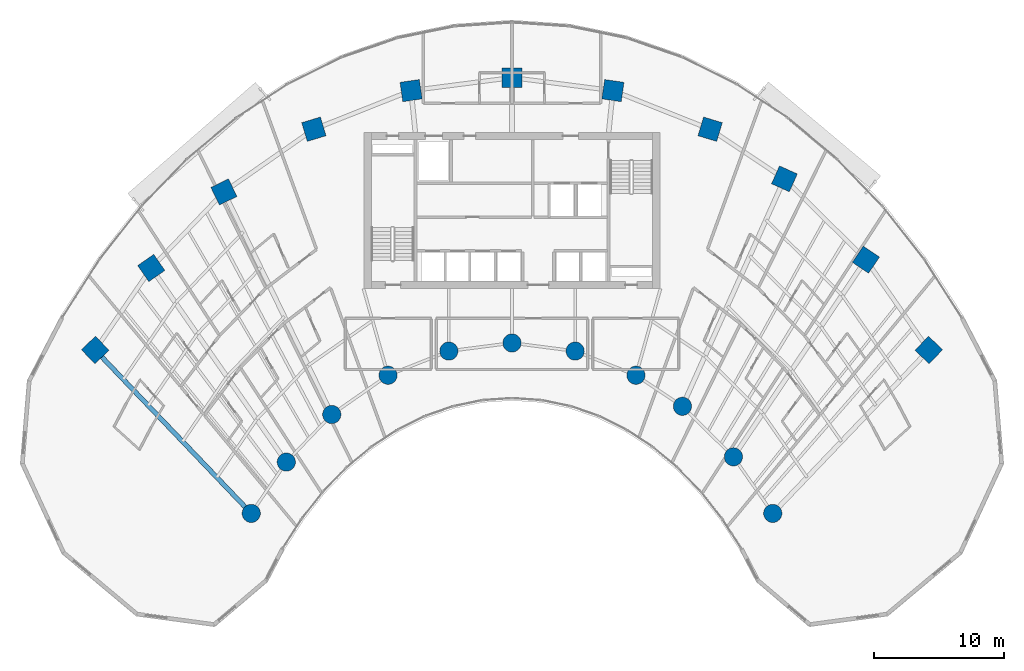
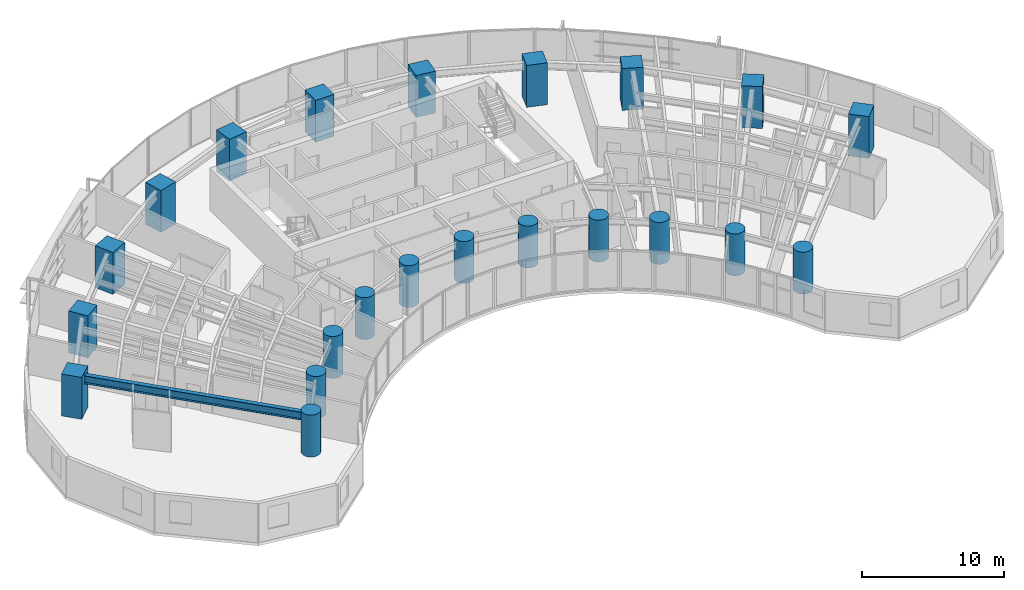
# One storey, part 1 of 18: 22 columns, 1 beam.
"""IFC4 building model written with IfcOpenShell, lengths in metres."""

from ifc_helpers import new_model, si_unit, direction, frame, origin, origin_2d, place, context, subcontext, project, spatial, rectangle, circle, i_section, extrude, source, transform, mapped, material, material_profile, profile_set, type_object, type_shapes, element, save


model = new_model("IFC4")

# Units and contexts
model_context = context("Model", 3, precision=1e-05, world=origin(), true_north=direction((0.0, 1.0)))
body_context = subcontext(model_context, "Body", "Model", "MODEL_VIEW")
ifc_project = project(units=[si_unit("LENGTHUNIT", "METRE"), si_unit("AREAUNIT", "SQUARE_METRE"), si_unit("VOLUMEUNIT", "CUBIC_METRE"), si_unit("PLANEANGLEUNIT", "RADIAN"), si_unit("MASSUNIT", "GRAM", prefix="KILO")], contexts=[model_context])

# Site, building, storey
site_placement = place(None, origin())
site = spatial("IfcSite", under=ifc_project, at=site_placement, CompositionType="ELEMENT")
building_placement = place(site_placement, origin())
building = spatial("IfcBuilding", under=site, at=building_placement, Name="Breltana Convention Tower", CompositionType="ELEMENT")
storey_placement = place(building_placement, frame((0.0, 0.0, 35.39990234375)))
storey = spatial("IfcBuildingStorey", under=building, at=storey_placement, Name="L06", CompositionType="ELEMENT", Elevation=35.39990234375)

# Columns
ifc_material_1 = material(Name="Concrete C60/75", Category="concrete")
ifc_material_profile_1 = material_profile(ifc_material_1, circle(Radius=0.699951171875, at=origin_2d()), Name="RC-COL-D1400")
ifc_profile_set_1 = profile_set([ifc_material_profile_1], Name="Concrete C60/75")
column_type_1 = type_object("IfcColumnType", Name="COL-RC-D1400", PredefinedType="COLUMN", material=ifc_profile_set_1)
shared_shape_1 = source(origin(), body_context, "Body", "SweptSolid", [
    extrude(circle(Radius=0.699951171875, at=origin_2d()), origin(), (0.0, 0.0, 1.0), 3.60009765625),
])
for number, where, z_axis, x_axis, name in (
    (1, (27.984619140625, 42.95458984375, 0.0), (0.0, 0.0, 1.0), (-0.690756218984, 0.723087716626, 0.0), "L06 Tower Column R01-IN"),
    (2, (30.67724609375, 46.892333984375, 0.0), (0.0, 0.0, 1.0), (-0.571143442153, 0.820850271661, 0.0), "L06 Tower Column R02-IN"),
    (3, (34.166259765625, 50.544921875, 0.0), (0.0, 0.0, 1.0), (-0.436173672171, 0.899862504889, 0.0), "L06 Tower Column R03-IN"),
    (4, (38.485107421875, 53.5576171875, 0.0), (0.0, 0.0, 1.0), (-0.288697611798, 0.957420330337, 0.0), "L06 Tower Column R04-IN"),
    (5, (43.153564453125, 55.41064453125, 0.0), (0.0, 0.0, 1.0), (-0.143492621991, 0.98965138682, 0.0), "L06 Tower Column R05-IN"),
    (6, (48.0, 56.035888671875, 0.0), (0.0, 0.0, 1.0), (0.0, 1.0, 0.0), "L06 Tower Column R06-IN"),
    (7, (52.846435546875, 55.41064453125, 0.0), (0.0, 0.0, 1.0), (0.143492621991, 0.98965138682, 0.0), "L06 Tower Column R07-IN"),
    (8, (57.514892578125, 53.5576171875, 0.0), (0.0, 0.0, 1.0), (0.288697611798, 0.957420330337, 0.0), "L06 Tower Column R08-IN"),
    (9, (61.08203125, 51.174560546875, 0.0), (0.0, 0.0, 1.0), (0.409126902895, 0.912477494148, 0.0), "L06 Tower Column R09-IN"),
    (10, (64.995849609375, 47.293701171875, 0.0), (0.0, 0.0, 1.0), (0.55774510898, 0.830012285095, 0.0), "L06 Tower Column R10-IN"),
    (11, (68.015380859375, 42.95458984375, 0.0), (0.0, 0.0, 1.0), (0.690756218984, 0.723087716626, 0.0), "L06 Tower Column R11-IN"),
):
    element("IfcColumn", number, at=place(storey_placement, frame(where, z_axis=z_axis, x_axis=x_axis)), inside=storey, type_object=column_type_1, Name=name, PredefinedType="COLUMN", context=body_context, shape_type="MappedRepresentation", body=[
        mapped(shared_shape_1, transform((0.0, 0.0, 0.0), scale=1.0)),
    ])
ifc_material_profile_2 = material_profile(ifc_material_1, rectangle(XDim=1.5, YDim=1.5, at=origin_2d()), Name="RC-COL-1500X1500")
ifc_profile_set_2 = profile_set([ifc_material_profile_2], Name="Concrete C60/75")
column_type_2 = type_object("IfcColumnType", Name="COL-RC-1500", PredefinedType="COLUMN", material=ifc_profile_set_2)
shared_shape_2 = source(origin(), body_context, "Body", "SweptSolid", [
    extrude(rectangle(XDim=1.5, YDim=1.5, at=origin_2d()), origin(), (0.0, 0.0, 1.0), 3.60009765625),
])
for number, where, z_axis, x_axis, name in (
    (12, (16.0068359375, 55.494384765625, 0.0), (0.0, 0.0, 1.0), (-0.690756218984, 0.723087716626, 0.0), "L06 Tower Column R01-OUT"),
    (13, (20.310791015625, 61.78857421875, 0.0), (0.0, 0.0, 1.0), (-0.571143442153, 0.820850271661, 0.0), "L06 Tower Column R02-OUT"),
    (14, (25.8876953125, 67.626953125, 0.0), (0.0, 0.0, 1.0), (-0.436173672171, 0.899862504889, 0.0), "L06 Tower Column R03-OUT"),
    (15, (32.791015625, 72.4423828125, 0.0), (0.0, 0.0, 1.0), (-0.288697611798, 0.957420330337, 0.0), "L06 Tower Column R04-OUT"),
    (16, (40.253173828125, 75.404296875, 0.0), (0.0, 0.0, 1.0), (-0.143492621991, 0.98965138682, 0.0), "L06 Tower Column R05-OUT"),
    (17, (48.0, 76.404052734375, 0.0), (0.0, 0.0, 1.0), (0.0, 1.0, 0.0), "L06 Tower Column R06-OUT"),
    (18, (55.746826171875, 75.404296875, 0.0), (0.0, 0.0, 1.0), (0.143492621991, 0.98965138682, 0.0), "L06 Tower Column R07-OUT"),
    (19, (63.208984375, 72.4423828125, 0.0), (0.0, 0.0, 1.0), (0.288697611798, 0.957420330337, 0.0), "L06 Tower Column R08-OUT"),
    (20, (68.910400390625, 68.63330078125, 0.0), (0.0, 0.0, 1.0), (0.409126902895, 0.912477494148, 0.0), "L06 Tower Column R09-OUT"),
    (21, (75.166748046875, 62.43017578125, 0.0), (0.0, 0.0, 1.0), (0.55774510898, 0.830012285095, 0.0), "L06 Tower Column R10-OUT"),
    (22, (79.9931640625, 55.494384765625, 0.0), (0.0, 0.0, 1.0), (0.690756218984, 0.723087716626, 0.0), "L06 Tower Column R11-OUT"),
):
    element("IfcColumn", number, at=place(storey_placement, frame(where, z_axis=z_axis, x_axis=x_axis)), inside=storey, type_object=column_type_2, Name=name, PredefinedType="COLUMN", context=body_context, shape_type="MappedRepresentation", body=[
        mapped(shared_shape_2, transform((0.0, 0.0, 0.0), scale=1.0)),
    ])

# Beam
ifc_material_2 = material(Name="Steel ASTM A992 Grade 50", Category="steel")
ifc_material_profile_3 = material_profile(ifc_material_2, i_section(OverallWidth=0.35498046875, OverallDepth=0.696044921875, WebThickness=0.015380859375, FlangeThickness=0.02490234375, at=origin_2d()), Name="W27X146")
ifc_profile_set_3 = profile_set([ifc_material_profile_3], Name="Steel ASTM A992 Grade 50")
beam_type = type_object("IfcBeamType", Name="BM-RG-W27X146", PredefinedType="USERDEFINED", material=ifc_profile_set_3)
shared_shape_3 = source(origin(), body_context, "Body", "SweptSolid", [
    extrude(i_section(OverallWidth=0.35498046875, OverallDepth=0.696044921875, WebThickness=0.015380859375, FlangeThickness=0.02490234375, at=origin_2d()), origin(), (0.0, 0.0, 1.0), 17.341064453125),
])
type_shapes(beam_type, [shared_shape_3])
beam_placement = place(storey_placement, frame((27.984619140625, 42.95458984375, 3.01220703125), z_axis=(-0.690716462293, 0.723125693581, 0.0), x_axis=(-0.723125693581, -0.690716462293, 0.0)))
element("IfcBeam", 23, at=beam_placement, inside=storey, type_object=beam_type, Name="L06 Radial Floor Girder R01", ObjectType="GIRDER", PredefinedType="USERDEFINED", context=body_context, shape_type="MappedRepresentation", body=[
    mapped(shared_shape_3, transform((0.0, 0.0, 0.0), scale=1.0)),
])

save(model, "model.ifc")
